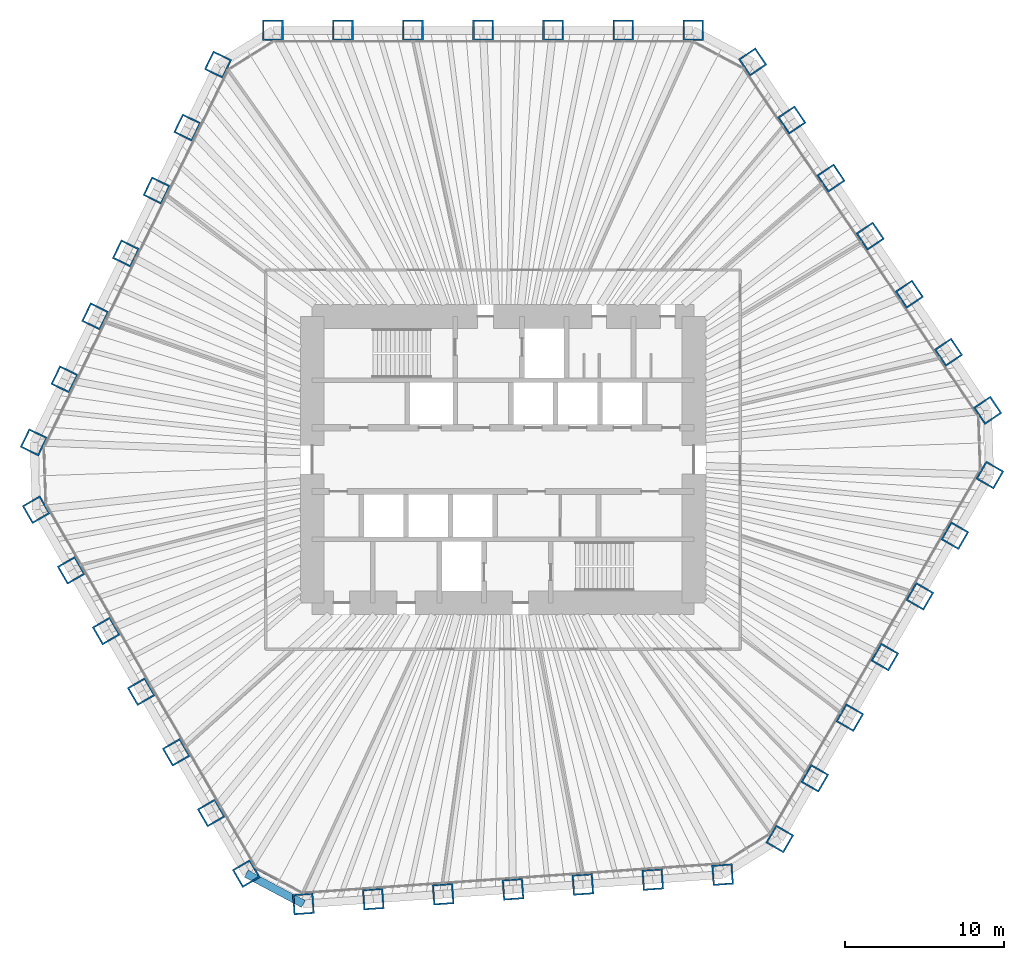
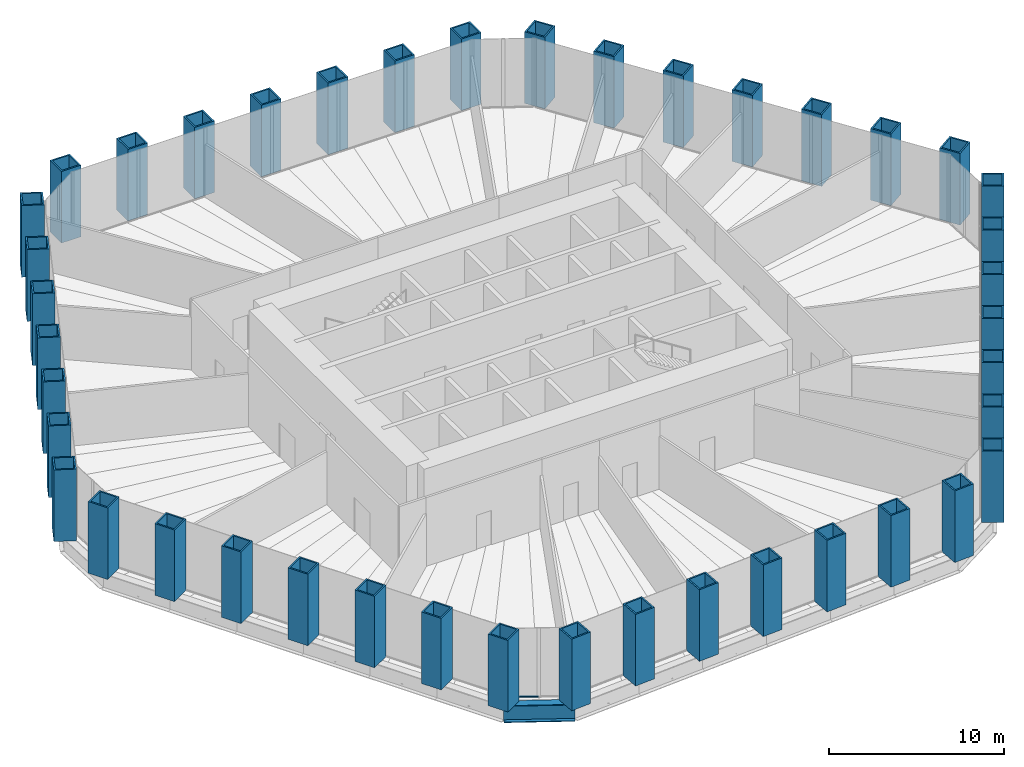
# One storey, part 1 of 14: 42 columns, 1 beam, 1 member, 1 element without a shape of its own.
"""IFC4 building model written with IfcOpenShell, lengths in metres."""

from ifc_helpers import new_model, si_unit, direction, frame, origin, origin_2d, place, context, subcontext, project, spatial, rectangle, hollow_rectangle, i_section, extrude, material, material_profile, profile_set, type_object, element, aggregate, save


model = new_model("IFC4")

# Units and contexts
model_context = context("Model", 3, precision=1e-05, world=origin(), true_north=direction((0.0, 1.0)))
body_context = subcontext(model_context, "Body", "Model", "MODEL_VIEW")
ifc_project = project(units=[si_unit("LENGTHUNIT", "METRE"), si_unit("AREAUNIT", "SQUARE_METRE"), si_unit("VOLUMEUNIT", "CUBIC_METRE"), si_unit("PLANEANGLEUNIT", "RADIAN"), si_unit("MASSUNIT", "GRAM", prefix="KILO")], contexts=[model_context])

# Site, building, storey
site_placement = place(None, origin())
site = spatial("IfcSite", under=ifc_project, at=site_placement, CompositionType="ELEMENT")
building_placement = place(site_placement, origin())
building = spatial("IfcBuilding", under=site, at=building_placement, Name="Qingtian Harvest Tower", CompositionType="ELEMENT")
storey_placement = place(building_placement, frame((0.0, 0.0, 82.0)))
storey = spatial("IfcBuildingStorey", under=building, at=storey_placement, Name="L16", CompositionType="ELEMENT", Elevation=82.0)

# Columns
ifc_material_1 = material(Name="Steel SM570MC", Category="steel")
ifc_material_profile_1 = material_profile(ifc_material_1, hollow_rectangle(XDim=1.300048828125, YDim=1.300048828125, WallThickness=0.10009765625, at=origin_2d()), Name="BOX1300x1300x100")
ifc_profile_set_1 = profile_set([ifc_material_profile_1], Name="Steel SM570MC")
column_type = type_object("IfcColumnType", Name="Tube column TC2 BOX1300x1300x100", PredefinedType="COLUMN", material=ifc_profile_set_1)
for number, where, z_axis, x_axis, name in (
    (1, (-14.471435546875, 27.0, 0.0), (0.0, 0.0, 1.0), (-1.0, 0.0, 0.0), "Tube column TC2 N0"),
    (2, (-10.06689453125, 27.0, 0.0), (0.0, 0.0, 1.0), (-1.0, 0.0, 0.0), "Tube column TC2 N1"),
    (3, (-5.662353515625, 27.0, 0.0), (0.0, 0.0, 1.0), (-1.0, 0.0, 0.0), "Tube column TC2 N2"),
    (4, (-1.257568359375, 27.0, 0.0), (0.0, 0.0, 1.0), (-1.0, 0.0, 0.0), "Tube column TC2 N3"),
    (5, (3.14697265625, 27.0, 0.0), (0.0, 0.0, 1.0), (-1.0, 0.0, 0.0), "Tube column TC2 N4"),
    (6, (7.551513671875, 27.0, 0.0), (0.0, 0.0, 1.0), (-1.0, 0.0, 0.0), "Tube column TC2 N5"),
    (7, (11.9560546875, 27.0, 0.0), (0.0, 0.0, 1.0), (-1.0, 0.0, 0.0), "Tube column TC2 N6"),
    (8, (15.6982421875, 25.01025390625, 0.0), (0.0, 0.0, 1.0), (-0.559192903471, 0.829037572555, 0.0), "Tube column TC2 NE0"),
    (9, (18.1611328125, 21.358642578125, 0.0), (0.0, 0.0, 1.0), (-0.559192903471, 0.829037572555, 0.0), "Tube column TC2 NE1"),
    (10, (20.624267578125, 17.70703125, 0.0), (0.0, 0.0, 1.0), (-0.559192903471, 0.829037572555, 0.0), "Tube column TC2 NE2"),
    (11, (23.08740234375, 14.0556640625, 0.0), (0.0, 0.0, 1.0), (-0.559192903471, 0.829037572555, 0.0), "Tube column TC2 NE3"),
    (12, (25.55029296875, 10.404052734375, 0.0), (0.0, 0.0, 1.0), (-0.559192903471, 0.829037572555, 0.0), "Tube column TC2 NE4"),
    (13, (28.013427734375, 6.75244140625, 0.0), (0.0, 0.0, 1.0), (-0.559192903471, 0.829037572555, 0.0), "Tube column TC2 NE5"),
    (14, (30.476318359375, 3.100830078125, 0.0), (0.0, 0.0, 1.0), (-0.559192903471, 0.829037572555, 0.0), "Tube column TC2 NE6"),
    (15, (30.618408203125, -0.96728515625, 0.0), (0.0, 0.0, 1.0), (0.5, 0.866025403784, 0.0), "Tube column TC2 SE0"),
    (16, (28.416015625, -4.78173828125, 0.0), (0.0, 0.0, 1.0), (0.5, 0.866025403784, 0.0), "Tube column TC2 SE1"),
    (17, (26.2138671875, -8.596435546875, 0.0), (0.0, 0.0, 1.0), (0.5, 0.866025403784, 0.0), "Tube column TC2 SE2"),
    (18, (24.011474609375, -12.410888671875, 0.0), (0.0, 0.0, 1.0), (0.5, 0.866025403784, 0.0), "Tube column TC2 SE3"),
    (19, (21.809326171875, -16.225341796875, 0.0), (0.0, 0.0, 1.0), (0.5, 0.866025403784, 0.0), "Tube column TC2 SE4"),
    (20, (19.60693359375, -20.039794921875, 0.0), (0.0, 0.0, 1.0), (0.5, 0.866025403784, 0.0), "Tube column TC2 SE5"),
    (21, (17.404541015625, -23.854248046875, 0.0), (0.0, 0.0, 1.0), (0.5, 0.866025403784, 0.0), "Tube column TC2 SE6"),
    (22, (13.810546875, -26.10009765625, 0.0), (0.0, 0.0, 1.0), (0.99756405026, 0.069756473744, 0.0), "Tube column TC2 S0"),
    (23, (9.41650390625, -26.407470703125, 0.0), (0.0, 0.0, 1.0), (0.99756405026, 0.069756473744, 0.0), "Tube column TC2 S1"),
    (24, (5.022705078125, -26.714599609375, 0.0), (0.0, 0.0, 1.0), (0.99756405026, 0.069756473744, 0.0), "Tube column TC2 S2"),
    (25, (0.62890625, -27.02197265625, 0.0), (0.0, 0.0, 1.0), (0.99756405026, 0.069756473744, 0.0), "Tube column TC2 S3"),
    (26, (-3.76513671875, -27.3291015625, 0.0), (0.0, 0.0, 1.0), (0.99756405026, 0.069756473744, 0.0), "Tube column TC2 S4"),
    (27, (-8.158935546875, -27.636474609375, 0.0), (0.0, 0.0, 1.0), (0.99756405026, 0.069756473744, 0.0), "Tube column TC2 S5"),
    (28, (-12.552734375, -27.943603515625, 0.0), (0.0, 0.0, 1.0), (0.99756405026, 0.069756473744, 0.0), "Tube column TC2 S6"),
    (29, (-16.14697265625, -26.03271484375, 0.0), (0.0, 0.0, 1.0), (0.5, -0.866025403784, 0.0), "Tube column TC2 SW0"),
    (30, (-18.349365234375, -22.21826171875, 0.0), (0.0, 0.0, 1.0), (0.5, -0.866025403784, 0.0), "Tube column TC2 SW1"),
    (31, (-20.551513671875, -18.403564453125, 0.0), (0.0, 0.0, 1.0), (0.5, -0.866025403784, 0.0), "Tube column TC2 SW2"),
    (32, (-22.75390625, -14.589111328125, 0.0), (0.0, 0.0, 1.0), (0.5, -0.866025403784, 0.0), "Tube column TC2 SW3"),
    (33, (-24.9560546875, -10.774658203125, 0.0), (0.0, 0.0, 1.0), (0.5, -0.866025403784, 0.0), "Tube column TC2 SW4"),
    (34, (-27.158447265625, -6.960205078125, 0.0), (0.0, 0.0, 1.0), (0.5, -0.866025403784, 0.0), "Tube column TC2 SW5"),
    (35, (-29.36083984375, -3.145751953125, 0.0), (0.0, 0.0, 1.0), (0.5, -0.866025403784, 0.0), "Tube column TC2 SW6"),
    (36, (-29.5087890625, 1.08984375, 0.0), (0.0, 0.0, 1.0), (-0.438371146789, -0.898794046299, 0.0), "Tube column TC2 NW0"),
    (37, (-27.577880859375, 5.048828125, 0.0), (0.0, 0.0, 1.0), (-0.438371146789, -0.898794046299, 0.0), "Tube column TC2 NW1"),
    (38, (-25.64697265625, 9.007568359375, 0.0), (0.0, 0.0, 1.0), (-0.438371146789, -0.898794046299, 0.0), "Tube column TC2 NW2"),
    (39, (-23.716064453125, 12.96630859375, 0.0), (0.0, 0.0, 1.0), (-0.438371146789, -0.898794046299, 0.0), "Tube column TC2 NW3"),
    (40, (-21.78515625, 16.92529296875, 0.0), (0.0, 0.0, 1.0), (-0.438371146789, -0.898794046299, 0.0), "Tube column TC2 NW4"),
    (41, (-19.8544921875, 20.884033203125, 0.0), (0.0, 0.0, 1.0), (-0.438371146789, -0.898794046299, 0.0), "Tube column TC2 NW5"),
    (42, (-17.923583984375, 24.8427734375, 0.0), (0.0, 0.0, 1.0), (-0.438371146789, -0.898794046299, 0.0), "Tube column TC2 NW6"),
):
    element("IfcColumn", number, at=place(storey_placement, frame(where, z_axis=z_axis, x_axis=x_axis)), inside=storey, type_object=column_type, Name=name, PredefinedType="COLUMN", context=body_context, shape_type="SweptSolid", body=[
        extrude(hollow_rectangle(XDim=1.300048828125, YDim=1.300048828125, WallThickness=0.10009765625, at=origin_2d()), origin(), (0.0, 0.0, 1.0), 5.0),
    ])

# Beam
ifc_material_2 = material(Name="Steel SM570MC", Category="steel")
ifc_material_profile_2 = material_profile(ifc_material_2, i_section(OverallWidth=0.5, OverallDepth=1.199951171875, WebThickness=0.02490234375, FlangeThickness=0.050048828125, at=origin_2d()), Name="H1200x500x25x50")
ifc_profile_set_2 = profile_set([ifc_material_profile_2], Name="Steel SM570MC")
beam_type = type_object("IfcBeamType", Name="Spandrel beam SB1 H1200x500x25x50", PredefinedType="SPANDREL", material=ifc_profile_set_2)
beam_placement = place(storey_placement, frame((-12.552734375, -27.943603515625, -0.60009765625), z_axis=(-0.882968133669, 0.469432929101, 0.0), x_axis=(-0.469432929101, -0.882968133669, 0.0)))
element("IfcBeam", 43, at=beam_placement, inside=storey, type_object=beam_type, Name="Spandrel SB1 SC", PredefinedType="SPANDREL", context=body_context, shape_type="SweptSolid", body=[
    extrude(i_section(OverallWidth=0.5, OverallDepth=1.199951171875, WebThickness=0.02490234375, FlangeThickness=0.050048828125, at=origin_2d()), origin(), (0.0, 0.0, 1.0), 4.070556640625),
])

# Curtain wall, member
ifc_material_3 = material(Name="Bronze-anodised aluminium curtain wall", Category="aluminium")
curtain_wall_type = type_object("IfcCurtainWallType", Name="Curtain wall CW2 farm reception", PredefinedType="USERDEFINED", material=ifc_material_3)
curtain_wall_placement = place(storey_placement, origin())
curtain_wall = element("IfcCurtainWall", 44, at=curtain_wall_placement, inside=storey, type_object=curtain_wall_type, Name="Curtain wall CW2 L16 SC", ObjectType="RECESSED CURTAIN WALL", PredefinedType="USERDEFINED")
ifc_material_4 = material(Name="Bronze-anodised aluminium transom", Category="aluminium")
ifc_material_profile_3 = material_profile(ifc_material_4, rectangle(XDim=0.14990234375, YDim=0.06494140625, at=origin_2d()), Name="AL 65x150")
ifc_profile_set_3 = profile_set([ifc_material_profile_3], Name="Bronze-anodised aluminium transom")
member_type = type_object("IfcMemberType", Name="Transom CWT 65x150", PredefinedType="USERDEFINED", material=ifc_profile_set_3)
member_placement = place(storey_placement, frame((-14.099853515625, -26.44873046875, 0.032470703125), z_axis=(-0.882960338349, 0.46944759122, 0.0), x_axis=(-0.46944759122, -0.882960338349, 0.0)))
member = element("IfcMember", 45, at=member_placement, type_object=member_type, Name="CW2 transom 2.1", ObjectType="TRANSOM", PredefinedType="USERDEFINED", context=body_context, shape_type="SweptSolid", body=[
    extrude(rectangle(XDim=0.14990234375, YDim=0.06494140625, at=origin_2d()), origin(), (0.0, 0.0, 1.0), 1.56689453125),
])
aggregate(curtain_wall, [member])

save(model, "model.ifc")
